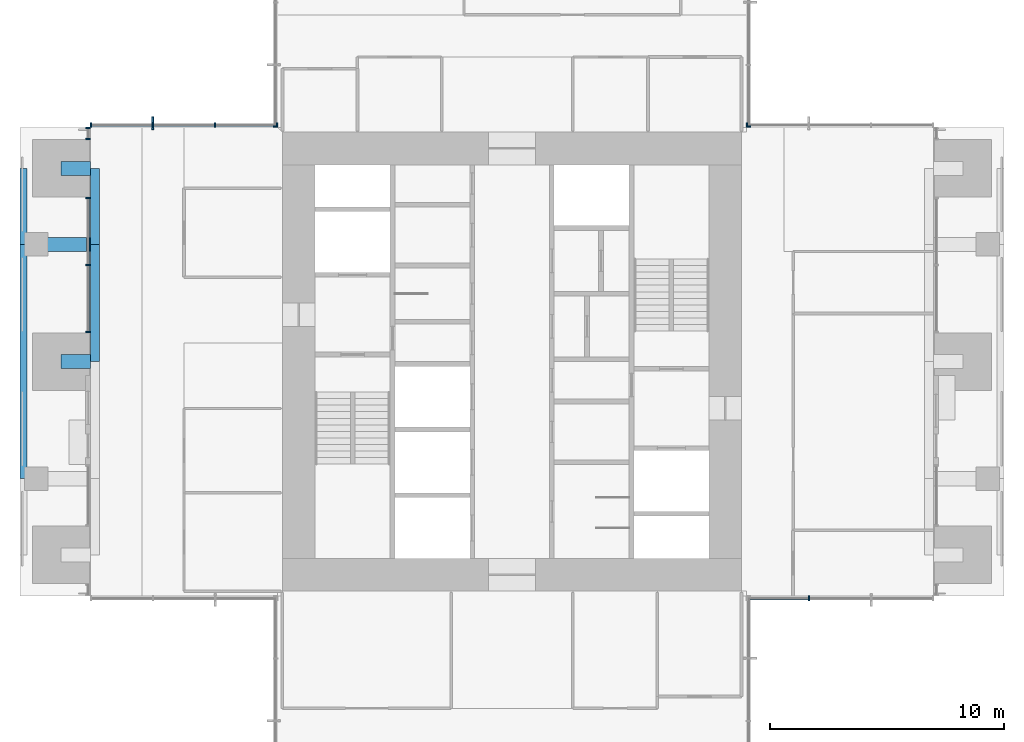
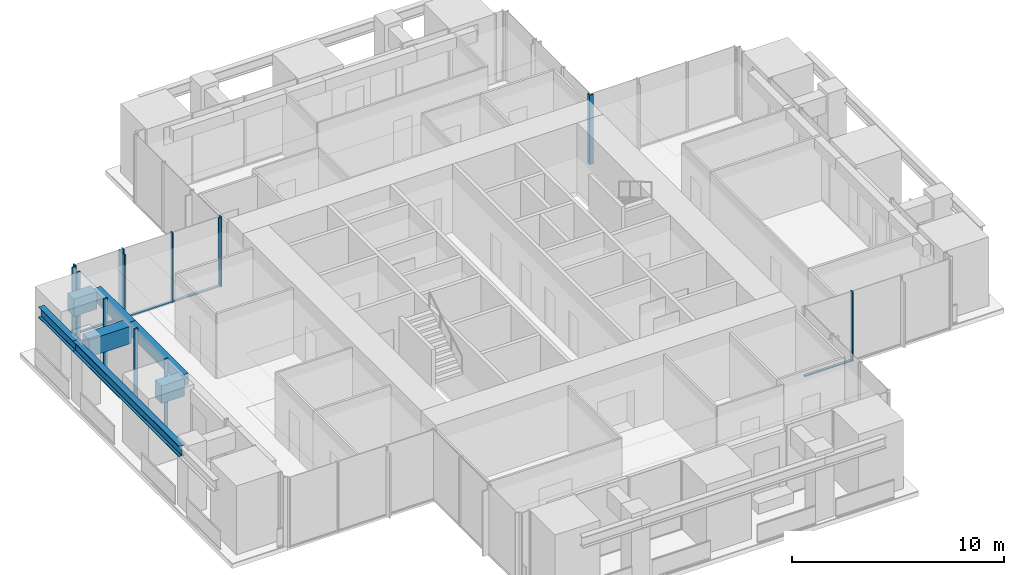
# One storey, part 3 of 17: 20 members, 7 beams, 7 elements without a shape of their own.
"""IFC4 building model written with IfcOpenShell, lengths in metres."""

import ifcopenshell
import ifcopenshell.guid

model = None  # the IFC model being written
_history = None  # IfcOwnerHistory: only IFC2X3 demands one
_inside = {}  # id of a spatial element -> (the spatial element, [elements in it])
_under = {}  # id of a project, library or spatial element -> (it, [spatial elements below it])
_declared = {}  # id of a project -> (the project, [libraries it declares])
_typed = {}  # id of a type object -> (the type object, [elements of that type])
_made_of = {}  # id of a material, layer set ... -> (it, [elements and type objects made of it])


def new_model(schema):
    """Start an empty IFC model of exactly this schema.

    Asked for "IFC4X3", IfcOpenShell would pick the latest addendum, in which some entities
    have other attributes; the version numbers below select the first issue.
    IFC2X3 requires an IfcOwnerHistory on every rooted entity: one is made here for all.
    """
    global model, _history
    if schema == "IFC4X3":
        model = ifcopenshell.file(schema_version=(4, 3, 0, 0))
    else:
        model = ifcopenshell.file(schema=schema)
    _inside.clear()
    _under.clear()
    _declared.clear()
    _typed.clear()
    _made_of.clear()
    _history = None
    if model.schema == "IFC2X3":
        org = make("IfcOrganization", Name="unknown")
        user = make(
            "IfcPersonAndOrganization",
            ThePerson=make("IfcPerson", FamilyName="unknown"),
            TheOrganization=org,
        )
        app = make(
            "IfcApplication",
            ApplicationDeveloper=org,
            Version="unknown",
            ApplicationFullName="unknown",
            ApplicationIdentifier="unknown",
        )
        _history = make(
            "IfcOwnerHistory",
            OwningUser=user,
            OwningApplication=app,
            ChangeAction="ADDED",
            CreationDate=0,
        )
    return model


def make(cls, **values):
    """One entity of the class cls with the attributes given. An attribute that is None is left unset."""
    return model.create_entity(
        cls, **{name: value for name, value in values.items() if value is not None}
    )


def rooted(cls, **values):
    """An entity with a GlobalId (a new one), such as an element, a storey or a relation."""
    return make(cls, GlobalId=ifcopenshell.guid.new(), OwnerHistory=_history, **values)


def si_unit(unit_type, name, prefix=None):
    """IfcSIUnit, for example si_unit("LENGTHUNIT", "METRE", prefix="MILLI")."""
    return make("IfcSIUnit", UnitType=unit_type, Prefix=prefix, Name=name)


def assignment(units):
    """IfcUnitAssignment: the units of a project."""
    return None if units is None else make("IfcUnitAssignment", Units=units)


def point(xyz):
    """IfcCartesianPoint."""
    return None if xyz is None else make("IfcCartesianPoint", Coordinates=xyz)


def direction(xyz):
    """IfcDirection."""
    return None if xyz is None else make("IfcDirection", DirectionRatios=xyz)


def frame(location, z_axis=None, x_axis=None):
    """IfcAxis2Placement3D, a coordinate frame: its origin and axes. An axis left out is left unset."""
    return make(
        "IfcAxis2Placement3D",
        Location=point(location),
        Axis=direction(z_axis),
        RefDirection=direction(x_axis),
    )


def frame_2d(location, x_axis=None):
    """IfcAxis2Placement2D, a coordinate frame in the plane: its origin and x axis."""
    return make(
        "IfcAxis2Placement2D", Location=point(location), RefDirection=direction(x_axis)
    )


def origin():
    """The frame at (0, 0, 0) with its axes left unset."""
    return frame((0.0, 0.0, 0.0))


def origin_2d():
    """The frame at (0, 0) in the plane with its x axis left unset."""
    return frame_2d((0.0, 0.0))


def place(relative_to, where):
    """IfcLocalPlacement: puts the frame where relative to a parent placement (None: the world)."""
    return make(
        "IfcLocalPlacement", PlacementRelTo=relative_to, RelativePlacement=where
    )


def context(
    kind, dimensions, precision=None, world=None, true_north=None, identifier=None
):
    """IfcGeometricRepresentationContext, for example the 3D "Model" context."""
    return make(
        "IfcGeometricRepresentationContext",
        ContextIdentifier=identifier,
        ContextType=kind,
        CoordinateSpaceDimension=dimensions,
        Precision=precision,
        WorldCoordinateSystem=world,
        TrueNorth=true_north,
    )


def subcontext(parent, identifier, kind, view, scale=None):
    """IfcGeometricRepresentationSubContext, for example "Body" below "Model"."""
    return make(
        "IfcGeometricRepresentationSubContext",
        ContextIdentifier=identifier,
        ContextType=kind,
        ParentContext=parent,
        TargetScale=scale,
        TargetView=view,
    )


def project(units=None, contexts=None):
    """IfcProject with its units and contexts."""
    return rooted(
        "IfcProject",
        Name="project",
        RepresentationContexts=contexts,
        UnitsInContext=assignment(units),
    )


def spatial(cls, under=None, at=None, **own):
    """A site, building, storey or space (cls), placed at a placement, below another one or the project."""
    s = rooted(cls, ObjectPlacement=at, **own)
    if under is not None:
        _under.setdefault(under.id(), (under, []))[1].append(s)
    return s


def profile(cls, at=None, kind="AREA", **sizes):
    """A parametric profile (cls). Its sizes go by their IFC names, for example OverallWidth=200.0."""
    return make(cls, ProfileType=kind, Position=at, **sizes)


def rectangle(**sizes):
    """IfcRectangleProfileDef."""
    return profile("IfcRectangleProfileDef", **sizes)


def i_section(**sizes):
    """IfcIShapeProfileDef."""
    return profile("IfcIShapeProfileDef", **sizes)


def extrude(swept, where, along, depth):
    """IfcExtrudedAreaSolid: the profile swept, set in the frame where, extruded along a direction by depth."""
    return make(
        "IfcExtrudedAreaSolid",
        SweptArea=swept,
        Position=where,
        ExtrudedDirection=direction(along),
        Depth=depth,
    )


def shape(context_of_items, identifier, shape_type, items):
    """IfcShapeRepresentation: the items that make up one representation, for example the "Body"."""
    return make(
        "IfcShapeRepresentation",
        ContextOfItems=context_of_items,
        RepresentationIdentifier=identifier,
        RepresentationType=shape_type,
        Items=items,
    )


def material(Name=None, Category=None):
    """IfcMaterial."""
    return make("IfcMaterial", Name=Name, Category=Category)


def material_profile(
    of_material, cross_section, Name=None, Category=None, Priority=None
):
    """IfcMaterialProfile: a cross section and its material."""
    return make(
        "IfcMaterialProfile",
        Name=Name,
        Material=of_material,
        Profile=cross_section,
        Priority=Priority,
        Category=Category,
    )


def profile_set(profiles, Name=None, composite=None):
    """IfcMaterialProfileSet."""
    return make(
        "IfcMaterialProfileSet",
        Name=Name,
        MaterialProfiles=profiles,
        CompositeProfile=composite,
    )


def made_of(thing, what):
    """Note that an element or type object is made of a material, layer set ...; save() writes the relation."""
    if what is not None:
        _made_of.setdefault(what.id(), (what, []))[1].append(thing)
    return thing


def type_object(cls, material=None, **own):
    """A type object (cls), such as IfcWallType, which elements share."""
    return made_of(rooted(cls, **own), material)


def element(
    cls,
    number,
    at=None,
    inside=None,
    cuts=None,
    type_object=None,
    material=None,
    context=None,
    identifier="Body",
    shape_type=None,
    held_by="IfcProductDefinitionShape",
    body=None,
    shapes=None,
    **own,
):
    """One element of the class cls, such as IfcWall. Its Tag is "e" and its number.

    at: its placement. inside: the storey or other place that contains it. cuts: it is an
    opening in that element (IfcRelVoidsElement). A single representation is given by context,
    identifier, shape_type and body (its items); several are given by shapes. held_by: the class
    of the entity that holds the representations. save() writes the other relations.
    """
    e = rooted(cls, Tag="e%d" % number, ObjectPlacement=at, **own)
    if body is not None:
        shapes = [shape(context, identifier, shape_type, body)]
    if shapes is not None:
        e.Representation = make(held_by, Representations=shapes)
    if inside is not None:
        _inside.setdefault(inside.id(), (inside, []))[1].append(e)
    if cuts is not None:
        rooted(
            "IfcRelVoidsElement", RelatingBuildingElement=cuts, RelatedOpeningElement=e
        )
    if type_object is not None:
        _typed.setdefault(type_object.id(), (type_object, []))[1].append(e)
    return made_of(e, material)


def aggregate(whole, parts):
    """IfcRelAggregates: a whole, such as a stair, and the parts it consists of."""
    return rooted("IfcRelAggregates", RelatingObject=whole, RelatedObjects=parts)


def save(model, path):
    """Write the relations noted so far, then the file.

    IfcRelAggregates (storeys below a building ...), IfcRelContainedInSpatialStructure (elements
    in a storey), IfcRelDefinesByType, IfcRelAssociatesMaterial and IfcRelDeclares: one each for
    every whole, place, type object, material and project.
    """
    for whole, parts in _under.values():
        aggregate(whole, parts)
    for where, things in _inside.values():
        rooted(
            "IfcRelContainedInSpatialStructure",
            RelatedElements=things,
            RelatingStructure=where,
        )
    for kind, things in _typed.values():
        rooted("IfcRelDefinesByType", RelatedObjects=things, RelatingType=kind)
    for what, things in _made_of.values():
        rooted("IfcRelAssociatesMaterial", RelatedObjects=things, RelatingMaterial=what)
    for by, libraries in _declared.values():
        rooted("IfcRelDeclares", RelatingContext=by, RelatedDefinitions=libraries)
    model.write(path)


model = new_model("IFC4")

# Units and contexts
model_context = context("Model", 3, precision=1e-05, world=origin(), true_north=direction((0.0, 1.0)))
body_context = subcontext(model_context, "Body", "Model", "MODEL_VIEW")
ifc_project = project(units=[si_unit("LENGTHUNIT", "METRE"), si_unit("AREAUNIT", "SQUARE_METRE"), si_unit("VOLUMEUNIT", "CUBIC_METRE"), si_unit("PLANEANGLEUNIT", "RADIAN"), si_unit("MASSUNIT", "GRAM", prefix="KILO")], contexts=[model_context])

# Site, building, storey
site_placement = place(None, origin())
site = spatial("IfcSite", under=ifc_project, at=site_placement, CompositionType="ELEMENT")
building_placement = place(site_placement, origin())
building = spatial("IfcBuilding", under=site, at=building_placement, Name="Svetlomir Tower", CompositionType="ELEMENT")
storey_placement = place(building_placement, frame((0.0, 0.0, 178.5)))
storey = spatial("IfcBuildingStorey", under=building, at=storey_placement, Name="L42", CompositionType="ELEMENT", Elevation=178.5)

# Curtain wall, member
ifc_material_1 = material(Name="Bronze anodised aluminium curtain wall", Category="aluminium")
curtain_wall_type = type_object("IfcCurtainWallType", Name="CURTAIN WALL CW1 TOWER OFFICE", PredefinedType="NOTDEFINED", material=ifc_material_1)
curtain_wall_1_placement = place(storey_placement, origin())
curtain_wall_1 = element("IfcCurtainWall", 1, at=curtain_wall_1_placement, inside=storey, type_object=curtain_wall_type, Name="Curtain wall CW1 L42", PredefinedType="NOTDEFINED")
ifc_material_2 = material(Name="Bronze anodised aluminium", Category="aluminium")
ifc_material_profile_1 = material_profile(ifc_material_2, rectangle(XDim=0.080078125, YDim=0.550048828125, at=origin_2d()), Name="FIN 80x550")
ifc_profile_set_1 = profile_set([ifc_material_profile_1], Name="Bronze anodised aluminium 6063-T6")
member_type_1 = type_object("IfcMemberType", Name="BRONZE FIN 80x550", PredefinedType="USERDEFINED", material=ifc_profile_set_1)
member_1_placement = place(storey_placement, frame((5.666748046875, 31.175048828125, 0.0), z_axis=(0.0, 0.0, 1.0), x_axis=(1.0, 0.0, 0.0)))
member_1 = element("IfcMember", 2, at=member_1_placement, type_object=member_type_1, Name="Bronze fin L42", ObjectType="FIN", PredefinedType="USERDEFINED", context=body_context, shape_type="SweptSolid", body=[
    extrude(rectangle(XDim=0.080078125, YDim=0.550048828125, at=origin_2d()), origin(), (0.0, 0.0, 1.0), 3.75),
])

curtain_wall_2_placement = place(storey_placement, origin())
curtain_wall_2 = element("IfcCurtainWall", 3, at=curtain_wall_2_placement, inside=storey, type_object=curtain_wall_type, Name="Curtain wall CW1 L42", PredefinedType="NOTDEFINED")
ifc_material_3 = material(Name="Bronze anodised aluminium", Category="aluminium")
ifc_material_profile_2 = material_profile(ifc_material_3, rectangle(XDim=0.06494140625, YDim=0.199951171875, at=origin_2d()), Name="AL 65x200")
ifc_profile_set_2 = profile_set([ifc_material_profile_2], Name="Bronze anodised aluminium 6063-T6")
member_type_2 = type_object("IfcMemberType", Name="CW1 MULLION 65x200", PredefinedType="MULLION", material=ifc_profile_set_2)
member_2_placement = place(storey_placement, frame((33.666748046875, 10.89990234375, 0.0), z_axis=(0.0, 0.0, 1.0), x_axis=(1.0, 0.0, 0.0)))
member_2 = element("IfcMember", 4, at=member_2_placement, type_object=member_type_2, Name="CW1 mullion 2", PredefinedType="MULLION", context=body_context, shape_type="SweptSolid", body=[
    extrude(rectangle(XDim=0.06494140625, YDim=0.199951171875, at=origin_2d()), origin(), (0.0, 0.0, 1.0), 4.0),
])

curtain_wall_3_placement = place(storey_placement, origin())
curtain_wall_3 = element("IfcCurtainWall", 5, at=curtain_wall_3_placement, inside=storey, type_object=curtain_wall_type, Name="Curtain wall CW1 L42", PredefinedType="NOTDEFINED")
member_3_placement = place(storey_placement, frame((31.032470703125, 31.10009765625, 0.0), z_axis=(0.0, 0.0, 1.0), x_axis=(-1.0, 0.0, 0.0)))
member_3 = element("IfcMember", 6, at=member_3_placement, type_object=member_type_2, Name="CW1 mullion 4", PredefinedType="MULLION", context=body_context, shape_type="SweptSolid", body=[
    extrude(rectangle(XDim=0.06494140625, YDim=0.199951171875, at=origin_2d()), origin(), (0.0, 0.0, 1.0), 4.0),
])
aggregate(curtain_wall_3, [member_3])

curtain_wall_4_placement = place(storey_placement, origin())
curtain_wall_4 = element("IfcCurtainWall", 7, at=curtain_wall_4_placement, inside=storey, type_object=curtain_wall_type, Name="Curtain wall CW1 L42", PredefinedType="NOTDEFINED")
member_4_placement = place(storey_placement, frame((31.10009765625, 31.032470703125, 0.0), z_axis=(0.0, 0.0, 1.0), x_axis=(0.0, 1.0, 0.0)))
member_4 = element("IfcMember", 8, at=member_4_placement, type_object=member_type_2, Name="CW1 mullion 1", PredefinedType="MULLION", context=body_context, shape_type="SweptSolid", body=[
    extrude(rectangle(XDim=0.06494140625, YDim=0.199951171875, at=origin_2d()), origin(), (0.0, 0.0, 1.0), 4.0),
])
aggregate(curtain_wall_4, [member_4])

curtain_wall_5_placement = place(storey_placement, origin())
curtain_wall_5 = element("IfcCurtainWall", 9, at=curtain_wall_5_placement, inside=storey, type_object=curtain_wall_type, Name="Curtain wall CW1 L42", PredefinedType="NOTDEFINED")
member_5_placement = place(storey_placement, frame((10.89990234375, 31.032470703125, 0.0), z_axis=(0.0, 0.0, 1.0), x_axis=(0.0, -1.0, 0.0)))
member_5 = element("IfcMember", 10, at=member_5_placement, type_object=member_type_2, Name="CW1 mullion 4", PredefinedType="MULLION", context=body_context, shape_type="SweptSolid", body=[
    extrude(rectangle(XDim=0.06494140625, YDim=0.199951171875, at=origin_2d()), origin(), (0.0, 0.0, 1.0), 4.0),
])
aggregate(curtain_wall_5, [member_5])

# Member
member_6_placement = place(storey_placement, frame((10.967529296875, 31.10009765625, 0.0), z_axis=(0.0, 0.0, 1.0), x_axis=(-1.0, 0.0, 0.0)))
member_6 = element("IfcMember", 11, at=member_6_placement, type_object=member_type_2, Name="CW1 mullion 1", PredefinedType="MULLION", context=body_context, shape_type="SweptSolid", body=[
    extrude(rectangle(XDim=0.06494140625, YDim=0.199951171875, at=origin_2d()), origin(), (0.0, 0.0, 1.0), 4.0),
])

member_7_placement = place(storey_placement, frame((8.333251953125, 31.10009765625, 0.0), z_axis=(0.0, 0.0, 1.0), x_axis=(-1.0, 0.0, 0.0)))
member_7 = element("IfcMember", 12, at=member_7_placement, type_object=member_type_2, Name="CW1 mullion 2", PredefinedType="MULLION", context=body_context, shape_type="SweptSolid", body=[
    extrude(rectangle(XDim=0.06494140625, YDim=0.199951171875, at=origin_2d()), origin(), (0.0, 0.0, 1.0), 4.0),
])

member_8_placement = place(storey_placement, frame((5.666748046875, 31.10009765625, 0.0), z_axis=(0.0, 0.0, 1.0), x_axis=(-1.0, 0.0, 0.0)))
member_8 = element("IfcMember", 13, at=member_8_placement, type_object=member_type_2, Name="CW1 mullion 3", PredefinedType="MULLION", context=body_context, shape_type="SweptSolid", body=[
    extrude(rectangle(XDim=0.06494140625, YDim=0.199951171875, at=origin_2d()), origin(), (0.0, 0.0, 1.0), 4.0),
])

member_9_placement = place(storey_placement, frame((3.032470703125, 31.10009765625, 0.0), z_axis=(0.0, 0.0, 1.0), x_axis=(-1.0, 0.0, 0.0)))
member_9 = element("IfcMember", 14, at=member_9_placement, type_object=member_type_2, Name="CW1 mullion 4", PredefinedType="MULLION", context=body_context, shape_type="SweptSolid", body=[
    extrude(rectangle(XDim=0.06494140625, YDim=0.199951171875, at=origin_2d()), origin(), (0.0, 0.0, 1.0), 4.0),
])

# Curtain wall, members
curtain_wall_6_placement = place(storey_placement, origin())
curtain_wall_6 = element("IfcCurtainWall", 15, at=curtain_wall_6_placement, inside=storey, type_object=curtain_wall_type, Name="Curtain wall CW1 L42", PredefinedType="NOTDEFINED")
member_10_placement = place(storey_placement, frame((2.89990234375, 30.967529296875, 0.0), z_axis=(0.0, 0.0, 1.0), x_axis=(0.0, -1.0, 0.0)))
member_10 = element("IfcMember", 16, at=member_10_placement, type_object=member_type_2, Name="CW1 mullion 1", PredefinedType="MULLION", context=body_context, shape_type="SweptSolid", body=[
    extrude(rectangle(XDim=0.06494140625, YDim=0.199951171875, at=origin_2d()), origin(), (0.0, 0.0, 1.0), 4.0),
])
member_11_placement = place(storey_placement, frame((2.89990234375, 30.507568359375, 0.0), z_axis=(0.0, 0.0, 1.0), x_axis=(0.0, -1.0, 0.0)))
member_11 = element("IfcMember", 17, at=member_11_placement, type_object=member_type_2, Name="CW1 mullion 2", PredefinedType="MULLION", context=body_context, shape_type="SweptSolid", body=[
    extrude(rectangle(XDim=0.06494140625, YDim=0.199951171875, at=origin_2d()), origin(), (0.0, 0.0, 1.0), 4.0),
])
aggregate(curtain_wall_6, [member_10, member_11])

curtain_wall_7_placement = place(storey_placement, origin())
curtain_wall_7 = element("IfcCurtainWall", 18, at=curtain_wall_7_placement, inside=storey, type_object=curtain_wall_type, Name="Curtain wall CW1 L42", PredefinedType="NOTDEFINED")
member_12_placement = place(storey_placement, frame((2.89990234375, 27.992431640625, 0.0), z_axis=(0.0, 0.0, 1.0), x_axis=(0.0, -1.0, 0.0)))
member_12 = element("IfcMember", 19, at=member_12_placement, type_object=member_type_2, Name="CW1 mullion 1", PredefinedType="MULLION", context=body_context, shape_type="SweptSolid", body=[
    extrude(rectangle(XDim=0.06494140625, YDim=0.199951171875, at=origin_2d()), origin(), (0.0, 0.0, 1.0), 4.0),
])
member_13_placement = place(storey_placement, frame((2.89990234375, 25.125, 0.0), z_axis=(0.0, 0.0, 1.0), x_axis=(0.0, -1.0, 0.0)))
member_13 = element("IfcMember", 20, at=member_13_placement, type_object=member_type_2, Name="CW1 mullion 2", PredefinedType="MULLION", context=body_context, shape_type="SweptSolid", body=[
    extrude(rectangle(XDim=0.06494140625, YDim=0.199951171875, at=origin_2d()), origin(), (0.0, 0.0, 1.0), 4.0),
])
member_14_placement = place(storey_placement, frame((2.89990234375, 22.257568359375, 0.0), z_axis=(0.0, 0.0, 1.0), x_axis=(0.0, -1.0, 0.0)))
member_14 = element("IfcMember", 21, at=member_14_placement, type_object=member_type_2, Name="CW1 mullion 3", PredefinedType="MULLION", context=body_context, shape_type="SweptSolid", body=[
    extrude(rectangle(XDim=0.06494140625, YDim=0.199951171875, at=origin_2d()), origin(), (0.0, 0.0, 1.0), 4.0),
])

# Member
ifc_material_4 = material(Name="Bronze anodised aluminium", Category="aluminium")
ifc_material_profile_3 = material_profile(ifc_material_4, rectangle(XDim=0.139892578125, YDim=0.06494140625, at=origin_2d()), Name="AL 140x65")
ifc_profile_set_3 = profile_set([ifc_material_profile_3], Name="Bronze anodised aluminium 6063-T6")
member_type_3 = type_object("IfcMemberType", Name="CW1 TRANSOM 65x140", PredefinedType="USERDEFINED", material=ifc_profile_set_3)
member_15_placement = place(storey_placement, frame((31.06494140625, 10.89990234375, 0.032470703125), z_axis=(1.0, 0.0, 0.0), x_axis=(0.0, 1.0, 0.0)))
member_15 = element("IfcMember", 22, at=member_15_placement, type_object=member_type_3, Name="CW1 transom 1.1", ObjectType="TRANSOM", PredefinedType="USERDEFINED", context=body_context, shape_type="SweptSolid", body=[
    extrude(rectangle(XDim=0.139892578125, YDim=0.06494140625, at=origin_2d()), origin(), (0.0, 0.0, 1.0), 2.5693359375),
])

aggregate(curtain_wall_2, [member_2, member_15])

member_16_placement = place(storey_placement, frame((10.93505859375, 31.10009765625, 0.032470703125), z_axis=(-1.0, 0.0, 0.0), x_axis=(0.0, -1.0, 0.0)))
member_16 = element("IfcMember", 23, at=member_16_placement, type_object=member_type_3, Name="CW1 transom 1.1", ObjectType="TRANSOM", PredefinedType="USERDEFINED", context=body_context, shape_type="SweptSolid", body=[
    extrude(rectangle(XDim=0.139892578125, YDim=0.06494140625, at=origin_2d()), origin(), (0.0, 0.0, 1.0), 2.5693359375),
])

member_17_placement = place(storey_placement, frame((8.30078125, 31.10009765625, 0.032470703125), z_axis=(-1.0, 0.0, 0.0), x_axis=(0.0, -1.0, 0.0)))
member_17 = element("IfcMember", 24, at=member_17_placement, type_object=member_type_3, Name="CW1 transom 2.1", ObjectType="TRANSOM", PredefinedType="USERDEFINED", context=body_context, shape_type="SweptSolid", body=[
    extrude(rectangle(XDim=0.139892578125, YDim=0.06494140625, at=origin_2d()), origin(), (0.0, 0.0, 1.0), 2.6015625),
])

member_18_placement = place(storey_placement, frame((5.63427734375, 31.10009765625, 0.032470703125), z_axis=(-1.0, 0.0, 0.0), x_axis=(0.0, -1.0, 0.0)))
member_18 = element("IfcMember", 25, at=member_18_placement, type_object=member_type_3, Name="CW1 transom 3.1", ObjectType="TRANSOM", PredefinedType="USERDEFINED", context=body_context, shape_type="SweptSolid", body=[
    extrude(rectangle(XDim=0.139892578125, YDim=0.06494140625, at=origin_2d()), origin(), (0.0, 0.0, 1.0), 2.5693359375),
])

aggregate(curtain_wall_1, [member_6, member_7, member_8, member_9, member_16, member_17, member_18, member_1])

member_19_placement = place(storey_placement, frame((2.89990234375, 27.9599609375, 0.032470703125), z_axis=(0.0, -1.0, 0.0), x_axis=(1.0, 0.0, 0.0)))
member_19 = element("IfcMember", 26, at=member_19_placement, type_object=member_type_3, Name="CW1 transom 1.1", ObjectType="TRANSOM", PredefinedType="USERDEFINED", context=body_context, shape_type="SweptSolid", body=[
    extrude(rectangle(XDim=0.139892578125, YDim=0.06494140625, at=origin_2d()), origin(), (0.0, 0.0, 1.0), 2.802490234375),
])

member_20_placement = place(storey_placement, frame((2.89990234375, 25.092529296875, 0.032470703125), z_axis=(0.0, -1.0, 0.0), x_axis=(1.0, 0.0, 0.0)))
member_20 = element("IfcMember", 27, at=member_20_placement, type_object=member_type_3, Name="CW1 transom 2.1", ObjectType="TRANSOM", PredefinedType="USERDEFINED", context=body_context, shape_type="SweptSolid", body=[
    extrude(rectangle(XDim=0.139892578125, YDim=0.06494140625, at=origin_2d()), origin(), (0.0, 0.0, 1.0), 2.802490234375),
])

aggregate(curtain_wall_7, [member_12, member_13, member_14, member_19, member_20])

# Beams
ifc_material_5 = material(Name="Steel S355", Category="steel")
ifc_material_profile_4 = material_profile(ifc_material_5, i_section(OverallWidth=0.304931640625, OverallDepth=0.6201171875, WebThickness=0.02099609375, FlangeThickness=0.0400390625, FilletRadius=0.027099609375, at=origin_2d()), Name="HEM 600")
ifc_profile_set_4 = profile_set([ifc_material_profile_4], Name="Steel S355")
beam_type_1 = type_object("IfcBeamType", Name="EDGE BEAM HEM 600", PredefinedType="SPANDREL", material=ifc_profile_set_4)
beam_1_placement = place(storey_placement, frame((0.152587890625, 16.0, 3.43994140625), z_axis=(0.0, 1.0, 0.0), x_axis=(-1.0, 0.0, 0.0)))
element("IfcBeam", 28, at=beam_1_placement, inside=storey, type_object=beam_type_1, Name="Edge beam 0/16 to 0/26 under L43", PredefinedType="SPANDREL", context=body_context, shape_type="SweptSolid", body=[
    extrude(i_section(OverallWidth=0.304931640625, OverallDepth=0.6201171875, WebThickness=0.02099609375, FlangeThickness=0.0400390625, FilletRadius=0.027099609375, at=origin_2d()), origin(), (0.0, 0.0, 1.0), 10.0),
])
beam_2_placement = place(storey_placement, frame((0.152587890625, 26.0, 3.43994140625), z_axis=(0.0, 1.0, 0.0), x_axis=(-1.0, 0.0, 0.0)))
element("IfcBeam", 29, at=beam_2_placement, inside=storey, type_object=beam_type_1, Name="Edge beam 0/26 to 0/31 under L43", PredefinedType="SPANDREL", context=body_context, shape_type="SweptSolid", body=[
    extrude(i_section(OverallWidth=0.304931640625, OverallDepth=0.6201171875, WebThickness=0.02099609375, FlangeThickness=0.0400390625, FilletRadius=0.027099609375, at=origin_2d()), origin(), (0.0, 0.0, 1.0), 3.25),
])
ifc_material_6 = material(Name="Concrete C60/75", Category="concrete")
ifc_material_profile_5 = material_profile(ifc_material_6, rectangle(XDim=0.39990234375, YDim=0.64990234375, at=origin_2d()), Name="RC 400x650")
ifc_profile_set_5 = profile_set([ifc_material_profile_5], Name="Concrete C60/75")
beam_type_2 = type_object("IfcBeamType", Name="FACADE EDGE BEAM RC 400x650", PredefinedType="BEAM", material=ifc_profile_set_5)
beam_3_placement = place(storey_placement, frame((3.199951171875, 21.0, 3.425048828125), z_axis=(0.0, 1.0, 0.0), x_axis=(-1.0, 0.0, 0.0)))
element("IfcBeam", 30, at=beam_3_placement, inside=storey, type_object=beam_type_2, Name="Facade edge beam W 21 to 26 under L43", PredefinedType="BEAM", context=body_context, shape_type="SweptSolid", body=[
    extrude(rectangle(XDim=0.39990234375, YDim=0.64990234375, at=origin_2d()), origin(), (0.0, 0.0, 1.0), 5.0),
])
beam_4_placement = place(storey_placement, frame((3.199951171875, 26.0, 3.425048828125), z_axis=(0.0, 1.0, 0.0), x_axis=(-1.0, 0.0, 0.0)))
element("IfcBeam", 31, at=beam_4_placement, inside=storey, type_object=beam_type_2, Name="Facade edge beam W 26 to 31 under L43", PredefinedType="BEAM", context=body_context, shape_type="SweptSolid", body=[
    extrude(rectangle(XDim=0.39990234375, YDim=0.64990234375, at=origin_2d()), origin(), (0.0, 0.0, 1.0), 3.25),
])
ifc_material_7 = material(Name="Concrete C60/75", Category="concrete")
ifc_material_profile_6 = material_profile(ifc_material_7, rectangle(XDim=0.60009765625, YDim=1.0, at=origin_2d()), Name="RC 600x1000")
ifc_profile_set_6 = profile_set([ifc_material_profile_6], Name="Concrete C60/75")
beam_type_3 = type_object("IfcBeamType", Name="LOGGIA LINK BEAM RC 600x1000", PredefinedType="BEAM", material=ifc_profile_set_6)
beam_5_placement = place(storey_placement, frame((1.75, 21.0, 3.25), z_axis=(1.0, 0.0, 0.0), x_axis=(0.0, 1.0, 0.0)))
element("IfcBeam", 32, at=beam_5_placement, inside=storey, type_object=beam_type_3, Name="Loggia link beam W 21 under L43", PredefinedType="BEAM", context=body_context, shape_type="SweptSolid", body=[
    extrude(rectangle(XDim=0.60009765625, YDim=1.0, at=origin_2d()), origin(), (0.0, 0.0, 1.0), 1.25),
])
beam_6_placement = place(storey_placement, frame((0.699951171875, 26.0, 3.25), z_axis=(1.0, 0.0, 0.0), x_axis=(0.0, 1.0, 0.0)))
element("IfcBeam", 33, at=beam_6_placement, inside=storey, type_object=beam_type_3, Name="Loggia link beam W 26 under L43", PredefinedType="BEAM", context=body_context, shape_type="SweptSolid", body=[
    extrude(rectangle(XDim=0.60009765625, YDim=1.0, at=origin_2d()), origin(), (0.0, 0.0, 1.0), 2.300048828125),
])
beam_7_placement = place(storey_placement, frame((1.75, 29.25, 3.25), z_axis=(1.0, 0.0, 0.0), x_axis=(0.0, 1.0, 0.0)))
element("IfcBeam", 34, at=beam_7_placement, inside=storey, type_object=beam_type_3, Name="Loggia link beam W 31 under L43", PredefinedType="BEAM", context=body_context, shape_type="SweptSolid", body=[
    extrude(rectangle(XDim=0.60009765625, YDim=1.0, at=origin_2d()), origin(), (0.0, 0.0, 1.0), 1.25),
])

save(model, "model.ifc")
